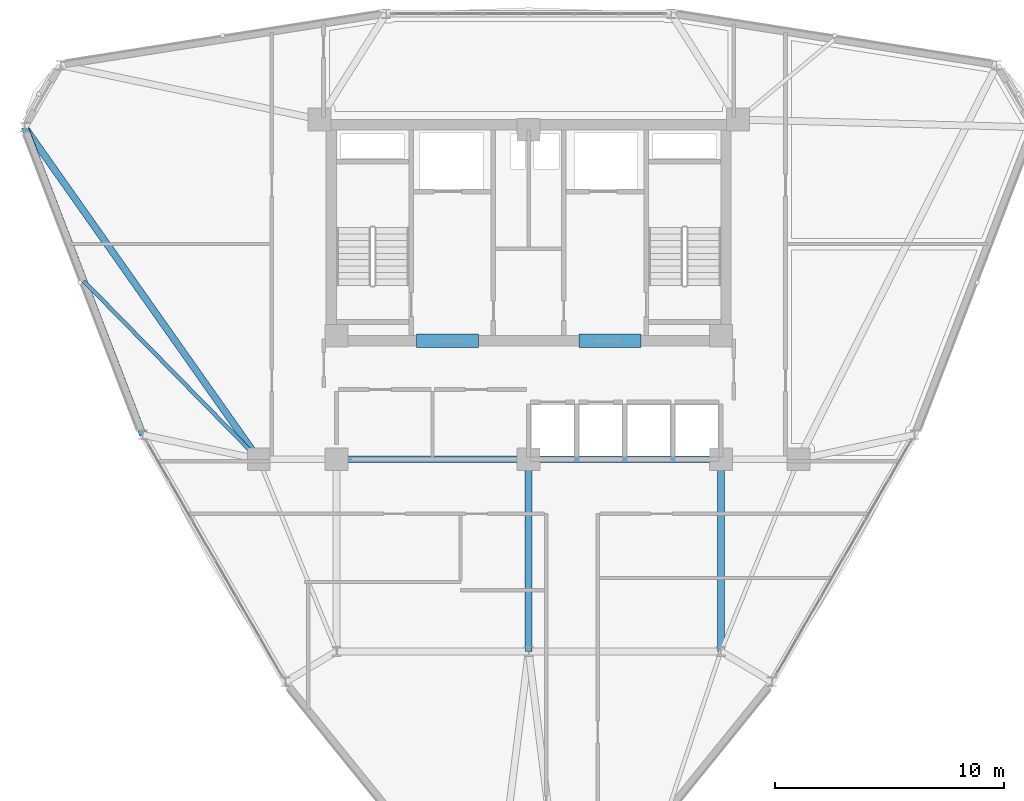
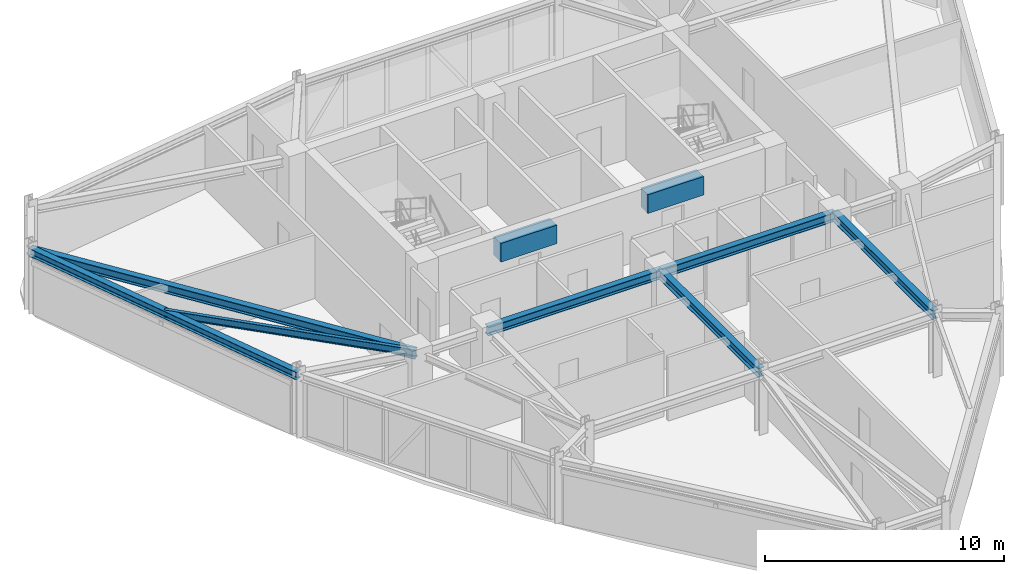
# One storey, part 5 of 14: 9 beams.
"""IFC4 building model written with IfcOpenShell, lengths in metres."""

from ifc_helpers import new_model, si_unit, derived_unit, direction, frame, origin, origin_2d, place, context, subcontext, project, spatial, rectangle, i_section, extrude, source, transform, mapped, material, material_profile, profile_set, type_object, element, save


model = new_model("IFC4")

# Units and contexts
model_context = context("Model", 3, precision=1e-05, world=origin(), true_north=direction((0.0, 1.0)))
body_context = subcontext(model_context, "Body", "Model", "MODEL_VIEW")
ifc_project = project(units=[si_unit("LENGTHUNIT", "METRE"), si_unit("AREAUNIT", "SQUARE_METRE"), si_unit("VOLUMEUNIT", "CUBIC_METRE"), si_unit("PLANEANGLEUNIT", "RADIAN"), si_unit("MASSUNIT", "GRAM", prefix="KILO"), derived_unit("THERMALTRANSMITTANCEUNIT", [(si_unit("POWERUNIT", "WATT"), 1), (si_unit("LENGTHUNIT", "METRE"), -2), (si_unit("THERMODYNAMICTEMPERATUREUNIT", "KELVIN"), -1)])], contexts=[model_context])

# Site, building, storey
site_placement = place(None, origin())
site = spatial("IfcSite", under=ifc_project, at=site_placement, CompositionType="ELEMENT")
building_placement = place(site_placement, origin())
building = spatial("IfcBuilding", under=site, at=building_placement, Name="Korsvarv Bourse and Concert Hall", CompositionType="ELEMENT")
storey_placement = place(building_placement, frame((0.0, 0.0, 197.39990234375)))
storey = spatial("IfcBuildingStorey", under=building, at=storey_placement, Name="L51", CompositionType="ELEMENT", Elevation=197.39990234375)

# Beams
ifc_material_1 = material(Name="Concrete C55/67", Category="concrete")
ifc_material_profile_1 = material_profile(ifc_material_1, rectangle(XDim=0.60009765625, YDim=0.949951171875, at=origin_2d()), Name="RC-BM 600x950")
ifc_profile_set_1 = profile_set([ifc_material_profile_1], Name="Concrete C55/67")
beam_type_1 = type_object("IfcBeamType", Name="BM-CPL", PredefinedType="LINTEL", material=ifc_profile_set_1)
shared_shape_1 = source(origin(), body_context, "Body", "SweptSolid", [
    extrude(rectangle(XDim=0.60009765625, YDim=0.949951171875, at=origin_2d()), origin(), (0.0, 0.0, 1.0), 2.699951171875),
])
for number, where, z_axis, x_axis, name in (
    (1, (31.10009765625, 37.574951171875, 2.78515625), (1.0, 0.0, 0.0), (0.0, 1.0, 0.0), "L51 Core Coupling Beam West"),
    (2, (38.199951171875, 37.574951171875, 2.78515625), (1.0, 0.0, 0.0), (0.0, 1.0, 0.0), "L51 Core Coupling Beam East"),
):
    element("IfcBeam", number, at=place(storey_placement, frame(where, z_axis=z_axis, x_axis=x_axis)), inside=storey, type_object=beam_type_1, Name=name, PredefinedType="LINTEL", context=body_context, shape_type="MappedRepresentation", body=[
        mapped(shared_shape_1, transform((0.0, 0.0, 0.0), scale=1.0)),
    ])
ifc_material_2 = material(Name="Steel S355", Category="steel")
ifc_material_profile_2 = material_profile(ifc_material_2, i_section(OverallWidth=0.300048828125, OverallDepth=0.449951171875, WebThickness=0.013916015625, FlangeThickness=0.02587890625, FilletRadius=0.02099609375, at=origin_2d()), Name="HEB 450")
ifc_profile_set_2 = profile_set([ifc_material_profile_2], Name="Steel S355")
beam_type_2 = type_object("IfcBeamType", Name="BM-HEB450", PredefinedType="SPANDREL", material=ifc_profile_set_2)
shared_shape_2 = source(origin(), body_context, "Body", "SweptSolid", [
    extrude(i_section(OverallWidth=0.300048828125, OverallDepth=0.449951171875, WebThickness=0.013916015625, FlangeThickness=0.02587890625, FilletRadius=0.02099609375, at=origin_2d()), origin(), (0.0, 0.0, 1.0), 8.39990234375),
])
for number, where, z_axis, x_axis, name in (
    (3, (27.60009765625, 32.39990234375, 3.03515625), (1.0, 0.0, 0.0), (0.0, 1.0, 0.0), "L51 beam B-08"),
    (4, (36.0, 32.39990234375, 3.03515625), (1.0, 0.0, 0.0), (0.0, 1.0, 0.0), "L51 beam B-08"),
    (5, (36.0, 24.0, 3.03515625), (0.0, 1.0, 0.0), (-1.0, 0.0, 0.0), "L51 beam B-08"),
    (6, (44.39990234375, 24.0, 3.03515625), (0.0, 1.0, 0.0), (-1.0, 0.0, 0.0), "L51 beam B-08"),
):
    element("IfcBeam", number, at=place(storey_placement, frame(where, z_axis=z_axis, x_axis=x_axis)), inside=storey, type_object=beam_type_2, Name=name, PredefinedType="SPANDREL", context=body_context, shape_type="MappedRepresentation", body=[
        mapped(shared_shape_2, transform((0.0, 0.0, 0.0), scale=1.0)),
    ])
ifc_material_profile_3 = material_profile(ifc_material_2, i_section(OverallWidth=0.300048828125, OverallDepth=0.389892578125, WebThickness=0.010986328125, FlangeThickness=0.01904296875, FilletRadius=0.02099609375, at=origin_2d()), Name="HEA 400")
ifc_profile_set_3 = profile_set([ifc_material_profile_3], Name="Steel S355")
beam_type_3 = type_object("IfcBeamType", Name="BM-HEA400", PredefinedType="BEAM", material=ifc_profile_set_3)
shared_shape_3 = source(origin(), body_context, "Body", "SweptSolid", [
    extrude(i_section(OverallWidth=0.300048828125, OverallDepth=0.389892578125, WebThickness=0.010986328125, FlangeThickness=0.01904296875, FilletRadius=0.02099609375, at=origin_2d()), origin(), (0.0, 0.0, 1.0), 14.408935546875),
])
beam_1_placement = place(storey_placement, frame((13.9697265625, 46.912353515625, 3.065185546875), z_axis=(0.35869521437, -0.933454735479, 0.0), x_axis=(0.933454735479, 0.35869521437, 0.0)))
element("IfcBeam", 7, at=beam_1_placement, inside=storey, type_object=beam_type_3, Name="L51 beam B-11", PredefinedType="BEAM", context=body_context, shape_type="MappedRepresentation", body=[
    mapped(shared_shape_3, transform((0.0, 0.0, 0.0), scale=1.0)),
])
shared_shape_4 = source(origin(), body_context, "Body", "SweptSolid", [
    extrude(i_section(OverallWidth=0.300048828125, OverallDepth=0.449951171875, WebThickness=0.013916015625, FlangeThickness=0.02587890625, FilletRadius=0.02099609375, at=origin_2d()), origin(), (0.0, 0.0, 1.0), 17.755859375),
])
beam_2_placement = place(storey_placement, frame((13.9697265625, 46.912353515625, 3.03515625), z_axis=(0.57616214008, -0.817335419726, 0.0), x_axis=(0.817335419726, 0.57616214008, 0.0)))
element("IfcBeam", 8, at=beam_2_placement, inside=storey, type_object=beam_type_2, Name="L51 beam B-08", PredefinedType="SPANDREL", context=body_context, shape_type="MappedRepresentation", body=[
    mapped(shared_shape_4, transform((0.0, 0.0, 0.0), scale=1.0)),
])
ifc_material_profile_4 = material_profile(ifc_material_2, i_section(OverallWidth=0.169921875, OverallDepth=0.360107421875, WebThickness=0.008056640625, FlangeThickness=0.0126953125, FilletRadius=0.01806640625, at=origin_2d()), Name="IPE 360")
ifc_profile_set_4 = profile_set([ifc_material_profile_4], Name="Steel S355")
beam_type_4 = type_object("IfcBeamType", Name="BM-IPE360", PredefinedType="JOIST", material=ifc_profile_set_4)
shared_shape_5 = source(origin(), body_context, "Body", "SweptSolid", [
    extrude(i_section(OverallWidth=0.169921875, OverallDepth=0.360107421875, WebThickness=0.008056640625, FlangeThickness=0.0126953125, FilletRadius=0.01806640625, at=origin_2d()), origin(), (0.0, 0.0, 1.0), 10.91357421875),
])
beam_3_placement = place(storey_placement, frame((16.553955078125, 40.187255859375, 3.080078125), z_axis=(0.70060084911, -0.713553396899, 0.0), x_axis=(0.713553396899, 0.70060084911, 0.0)))
element("IfcBeam", 9, at=beam_3_placement, inside=storey, type_object=beam_type_4, Name="L51 beam J-06", PredefinedType="JOIST", context=body_context, shape_type="MappedRepresentation", body=[
    mapped(shared_shape_5, transform((0.0, 0.0, 0.0), scale=1.0)),
])

save(model, "model.ifc")
